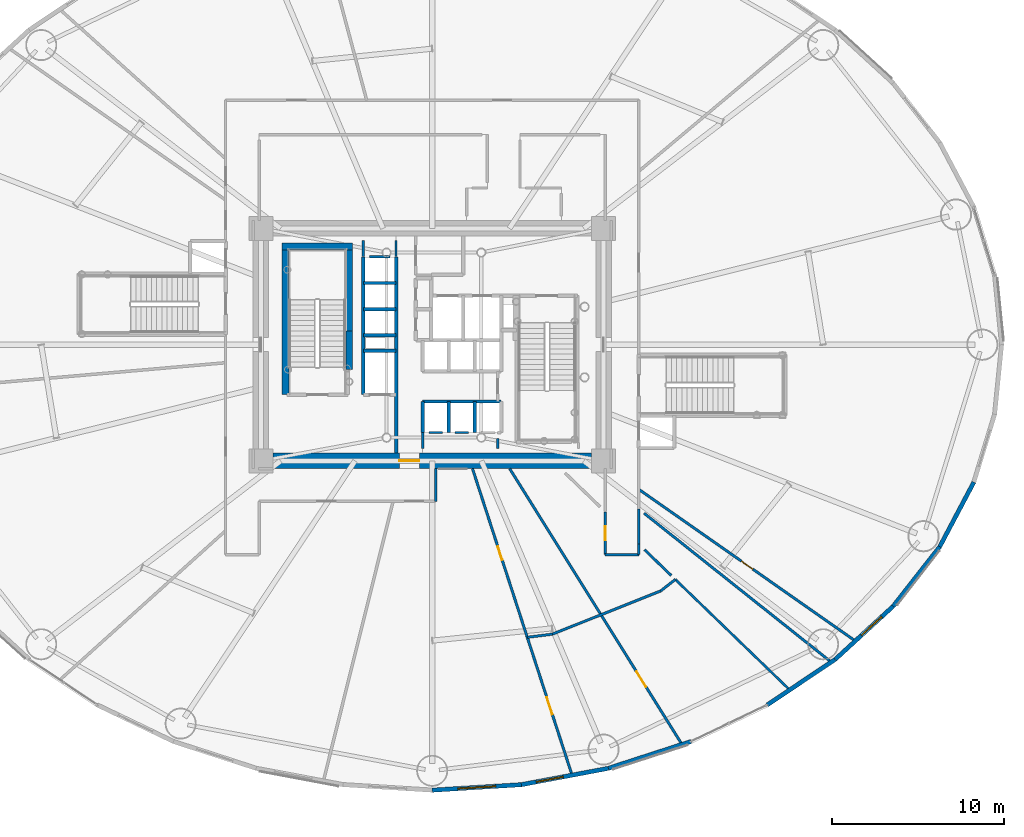
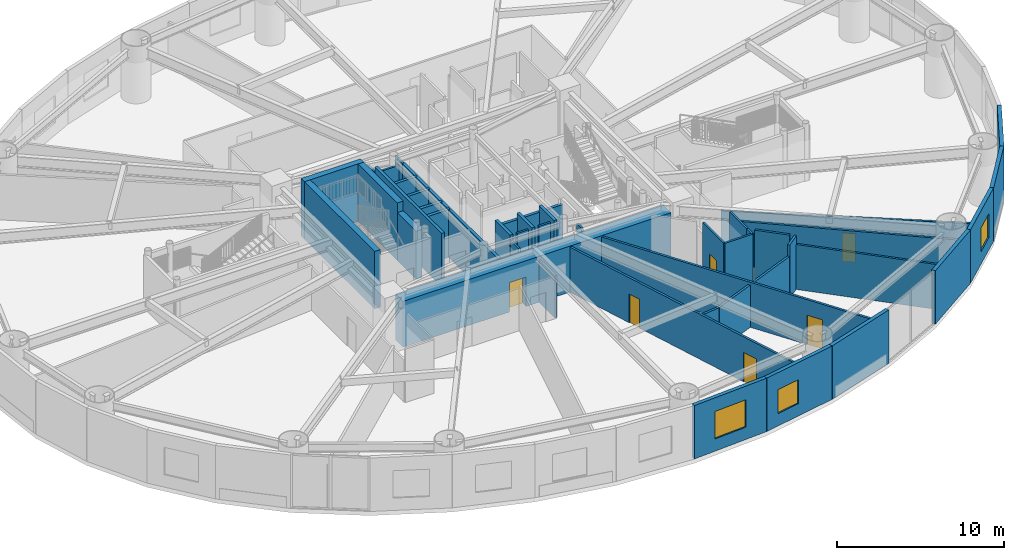
# One storey, part 17 of 31: 43 walls, 6 doors, 3 windows, 9 openings.
"""IFC4 building model written with IfcOpenShell, lengths in metres."""

from ifc_helpers import new_model, si_unit, direction, frame, frame_2d, origin, origin_2d, place, context, subcontext, project, spatial, rectangle, extrude, source, transform, mapped, material, layer, layer_set, type_object, element, fill, save


model = new_model("IFC4")

# Units and contexts
model_context = context("Model", 3, precision=1e-05, world=origin(), true_north=direction((0.0, 1.0)))
body_context = subcontext(model_context, "Body", "Model", "MODEL_VIEW")
ifc_project = project(units=[si_unit("LENGTHUNIT", "METRE"), si_unit("AREAUNIT", "SQUARE_METRE"), si_unit("VOLUMEUNIT", "CUBIC_METRE"), si_unit("PLANEANGLEUNIT", "RADIAN"), si_unit("MASSUNIT", "GRAM", prefix="KILO")], contexts=[model_context])

# Site, building, storey
site_placement = place(None, origin())
site = spatial("IfcSite", under=ifc_project, at=site_placement, CompositionType="ELEMENT")
building_placement = place(site_placement, origin())
building = spatial("IfcBuilding", under=site, at=building_placement, Name="Linh Dai School and Residence Tower", CompositionType="ELEMENT")
storey_placement = place(building_placement, frame((0.0, 0.0, 6.0)))
storey = spatial("IfcBuildingStorey", under=building, at=storey_placement, Name="L01", CompositionType="ELEMENT", Elevation=6.0)

# Wall, opening, window
ifc_material_1 = material(Name="Precast Concrete B45 (C35/45)", Category="concrete")
ifc_layer_1 = layer(ifc_material_1, 0.25)
ifc_layer_set_1 = layer_set([ifc_layer_1], Name="Precast Concrete B45 (C35/45)")
wall_type_1 = type_object("IfcWallType", Name="EW-TC-250", PredefinedType="SOLIDWALL", material=ifc_layer_set_1)
wall_1_placement = place(storey_placement, frame((41.17822265625, 1.444091796875, 0.0), z_axis=(0.0, 0.0, 1.0), x_axis=(-0.998106762298, -0.061505211614, 0.0)))
wall_1 = element("IfcWall", 1, at=wall_1_placement, inside=storey, type_object=wall_type_1, Name="L01 Terracotta Exterior Wall 31", PredefinedType="SOLIDWALL", context=body_context, shape_type="SweptSolid", body=[
    extrude(rectangle(XDim=5.18798828125, YDim=0.25, at=frame_2d((2.593994140625, 0.0))), origin(), (0.0, 0.0, 1.0), 3.89990234375),
])
opening_1_placement = place(wall_1_placement, frame((1.493896484375, 0.0, 0.89990234375)))
opening_1 = element("IfcOpeningElement", 2, at=opening_1_placement, cuts=wall_1, Name="Opening W4", PredefinedType="OPENING", context=body_context, shape_type="SweptSolid", body=[
    extrude(rectangle(XDim=2.199951171875, YDim=2.0, at=origin_2d()), frame((1.10009765625, 0.135009765625, 1.0), z_axis=(0.0, -1.0, 0.0), x_axis=(1.0, 0.0, 0.0)), (0.0, 0.0, 1.0), 0.27001953125),
])
ifc_material_2 = material(Name="Acoustic Laminated Low-E Glazing", Category="glass")
window_type_1 = type_object("IfcWindowType", Name="WN-SCH-2200x2000", PartitioningType="TRIPLE_PANEL_VERTICAL", PredefinedType="WINDOW", material=ifc_material_2)
shared_shape_1 = source(origin(), body_context, "Body", "SweptSolid", [
    extrude(rectangle(XDim=2.199951171875, YDim=2.0, at=origin_2d()), frame((1.10009765625, 0.030029296875, 1.0), z_axis=(0.0, -1.0, 0.0), x_axis=(1.0, 0.0, 0.0)), (0.0, 0.0, 1.0), 0.06005859375),
])
window_1_placement = place(opening_1_placement, origin())
window_1 = element("IfcWindow", 3, at=window_1_placement, inside=storey, type_object=window_type_1, Name="L01 Exterior Window 31.1", OverallHeight=2.0, OverallWidth=2.199951171875, PartitioningType="TRIPLE_PANEL_VERTICAL", PredefinedType="WINDOW", context=body_context, shape_type="MappedRepresentation", body=[
    mapped(shared_shape_1, transform((0.0, 0.0, 0.0), x_axis=(1.0, 0.0, 0.0), y_axis=(0.0, 1.0, 0.0), z_axis=(0.0, 0.0, 1.0), scale=1.0)),
])
fill(opening_1, window_1)

wall_2_placement = place(storey_placement, frame((46.228515625, 2.3935546875, 0.0), z_axis=(0.0, 0.0, 1.0), x_axis=(-0.98278278947, -0.184764684726, 0.0)))
wall_2 = element("IfcWall", 4, at=wall_2_placement, inside=storey, type_object=wall_type_1, Name="L01 Terracotta Exterior Wall 32", PredefinedType="SOLIDWALL", context=body_context, shape_type="SweptSolid", body=[
    extrude(rectangle(XDim=5.138671875, YDim=0.25, at=frame_2d((2.5693359375, 0.0))), origin(), (0.0, 0.0, 1.0), 3.89990234375),
])
opening_2_placement = place(wall_2_placement, frame((2.654296875, 0.0, 0.89990234375)))
opening_2 = element("IfcOpeningElement", 5, at=opening_2_placement, cuts=wall_2, Name="Opening W2", PredefinedType="OPENING", context=body_context, shape_type="SweptSolid", body=[
    extrude(rectangle(XDim=1.60009765625, YDim=1.75, at=origin_2d()), frame((0.800048828125, 0.135009765625, 0.875), z_axis=(0.0, -1.0, 0.0), x_axis=(1.0, 0.0, 0.0)), (0.0, 0.0, 1.0), 0.27001953125),
])
ifc_material_3 = material(Name="Double Low-E Insulated Glazing", Category="glass")
window_type_2 = type_object("IfcWindowType", Name="WN-RES-1600x1750", PartitioningType="DOUBLE_PANEL_VERTICAL", PredefinedType="WINDOW", material=ifc_material_3)
shared_shape_2 = source(origin(), body_context, "Body", "SweptSolid", [
    extrude(rectangle(XDim=1.60009765625, YDim=1.75, at=origin_2d()), frame((0.800048828125, 0.030029296875, 0.875), z_axis=(0.0, -1.0, 0.0), x_axis=(1.0, 0.0, 0.0)), (0.0, 0.0, 1.0), 0.06005859375),
])
window_2_placement = place(opening_2_placement, origin())
window_2 = element("IfcWindow", 6, at=window_2_placement, inside=storey, type_object=window_type_2, Name="L01 Exterior Window 32.1", OverallHeight=1.75, OverallWidth=1.60009765625, PartitioningType="DOUBLE_PANEL_VERTICAL", PredefinedType="WINDOW", context=body_context, shape_type="MappedRepresentation", body=[
    mapped(shared_shape_2, transform((0.0, 0.0, 0.0), x_axis=(1.0, 0.0, 0.0), y_axis=(0.0, 1.0, 0.0), z_axis=(0.0, 0.0, 1.0), scale=1.0)),
])
fill(opening_2, window_2)

# Walls
wall_3_placement = place(storey_placement, frame((51.026123046875, 3.949951171875, 0.0), z_axis=(0.0, 0.0, 1.0), x_axis=(-0.951198629726, -0.308579271513, 0.0)))
element("IfcWall", 7, at=wall_3_placement, inside=storey, type_object=wall_type_1, Name="L01 Terracotta Exterior Wall 33", PredefinedType="SOLIDWALL", context=body_context, shape_type="SweptSolid", body=[
    extrude(rectangle(XDim=5.043701171875, YDim=0.25, at=frame_2d((2.52197265625, 0.0))), origin(), (0.0, 0.0, 1.0), 3.89990234375),
])
wall_4_placement = place(storey_placement, frame((59.39892578125, 8.713623046875, 0.0), z_axis=(0.0, 0.0, 1.0), x_axis=(-0.831218664812, -0.555945618985, 0.0)))
element("IfcWall", 8, at=wall_4_placement, inside=storey, type_object=wall_type_1, Name="L01 Terracotta Exterior Wall 35", PredefinedType="SOLIDWALL", context=body_context, shape_type="SweptSolid", body=[
    extrude(rectangle(XDim=4.74755859375, YDim=0.25, at=frame_2d((2.373779296875, 0.0))), origin(), (0.0, 0.0, 1.0), 3.89990234375),
])

# Wall, opening, window
wall_5_placement = place(storey_placement, frame((62.767822265625, 11.802490234375, 0.0), z_axis=(0.0, 0.0, 1.0), x_axis=(-0.737076532105, -0.675809282136, 0.0)))
wall_5 = element("IfcWall", 9, at=wall_5_placement, inside=storey, type_object=wall_type_1, Name="L01 Terracotta Exterior Wall 36", PredefinedType="SOLIDWALL", context=body_context, shape_type="SweptSolid", body=[
    extrude(rectangle(XDim=4.570556640625, YDim=0.25, at=frame_2d((2.28515625, 0.0))), origin(), (0.0, 0.0, 1.0), 3.89990234375),
])
opening_3_placement = place(wall_5_placement, frame((0.89599609375, 0.0, 0.89990234375)))
opening_3 = element("IfcOpeningElement", 10, at=opening_3_placement, cuts=wall_5, Name="Opening W2", PredefinedType="OPENING", context=body_context, shape_type="SweptSolid", body=[
    extrude(rectangle(XDim=1.60009765625, YDim=1.75, at=origin_2d()), frame((0.800048828125, 0.135009765625, 0.875), z_axis=(0.0, -1.0, 0.0), x_axis=(1.0, 0.0, 0.0)), (0.0, 0.0, 1.0), 0.27001953125),
])
window_3_placement = place(opening_3_placement, origin())
window_3 = element("IfcWindow", 11, at=window_3_placement, inside=storey, type_object=window_type_2, Name="L01 Exterior Window 36.1", OverallHeight=1.75, OverallWidth=1.60009765625, PartitioningType="DOUBLE_PANEL_VERTICAL", PredefinedType="WINDOW", context=body_context, shape_type="MappedRepresentation", body=[
    mapped(shared_shape_2, transform((0.0, 0.0, 0.0), x_axis=(1.0, 0.0, 0.0), y_axis=(0.0, 1.0, 0.0), z_axis=(0.0, 0.0, 1.0), scale=1.0)),
])
fill(opening_3, window_3)

# Walls
wall_6_placement = place(storey_placement, frame((65.4765625, 15.264404296875, 0.0), z_axis=(0.0, 0.0, 1.0), x_axis=(-0.61622589112, -0.787569457961, 0.0)))
element("IfcWall", 12, at=wall_6_placement, inside=storey, type_object=wall_type_1, Name="L01 Terracotta Exterior Wall 37", PredefinedType="SOLIDWALL", context=body_context, shape_type="SweptSolid", body=[
    extrude(rectangle(XDim=4.395751953125, YDim=0.25, at=frame_2d((2.19775390625, 0.0))), origin(), (0.0, 0.0, 1.0), 3.89990234375),
])
wall_7_placement = place(storey_placement, frame((67.459716796875, 19.013427734375, 0.0), z_axis=(0.0, 0.0, 1.0), x_axis=(-0.467588829866, -0.883946087827, 0.0)))
element("IfcWall", 13, at=wall_7_placement, inside=storey, type_object=wall_type_1, Name="L01 Terracotta Exterior Wall 38", PredefinedType="SOLIDWALL", context=body_context, shape_type="SweptSolid", body=[
    extrude(rectangle(XDim=4.2412109375, YDim=0.25, at=frame_2d((2.12060546875, 0.0))), origin(), (0.0, 0.0, 1.0), 3.89990234375),
])
ifc_material_4 = material(Name="Autoclaved Aerated Concrete Blockwork", Category="masonry")
ifc_layer_2 = layer(ifc_material_4, 0.135009765625)
ifc_layer_set_2 = layer_set([ifc_layer_2], Name="Autoclaved Aerated Concrete Blockwork")
wall_type_2 = type_object("IfcWallType", Name="IW-CORR-135-EI90", PredefinedType="PARTITIONING", material=ifc_layer_set_2)
wall_8_placement = place(storey_placement, frame((36.199951171875, 17.89990234375, 0.0), z_axis=(0.0, 0.0, 1.0), x_axis=(0.0, 1.0, 0.0)))
element("IfcWall", 14, at=wall_8_placement, inside=storey, type_object=wall_type_2, Name="L01 Interior Partition Wall 041", PredefinedType="PARTITIONING", context=body_context, shape_type="SweptSolid", body=[
    extrude(rectangle(XDim=1.900146484375, YDim=0.135009765625, at=frame_2d((0.9501953125, 0.0))), origin(), (0.0, 0.0, 1.0), 3.0849609375),
])

# Wall, opening, door
wall_9_placement = place(storey_placement, frame((46.050048828125, 14.800048828125, 0.0), z_axis=(0.0, 0.0, 1.0), x_axis=(0.0, 1.0, 0.0)))
wall_9 = element("IfcWall", 15, at=wall_9_placement, inside=storey, type_object=wall_type_2, Name="L01 Interior Partition Wall 060", PredefinedType="PARTITIONING", context=body_context, shape_type="SweptSolid", body=[
    extrude(rectangle(XDim=2.494873046875, YDim=0.135009765625, at=frame_2d((1.24755859375, 0.0))), origin(), (0.0, 0.0, 1.0), 3.89990234375),
])
opening_4_placement = place(wall_9_placement, frame((0.83740234375, 0.0, 0.0)))
opening_4 = element("IfcOpeningElement", 16, at=opening_4_placement, cuts=wall_9, Name="Opening D06", PredefinedType="OPENING", context=body_context, shape_type="SweptSolid", body=[
    extrude(rectangle(XDim=0.820068359375, YDim=2.10009765625, at=origin_2d()), frame((0.41015625, 0.07763671875, 1.050048828125), z_axis=(0.0, -1.0, 0.0), x_axis=(1.0, 0.0, 0.0)), (0.0, 0.0, 1.0), 0.155029296875),
])
ifc_material_5 = material(Name="Moisture-Resistant Timber Bathroom Door", Category="wood")
door_type_1 = type_object("IfcDoorType", Name="DR-WET-820x2100", OperationType="NOTDEFINED", PredefinedType="DOOR", material=ifc_material_5)
shared_shape_3 = source(origin(), body_context, "Body", "SweptSolid", [
    extrude(rectangle(XDim=0.820068359375, YDim=2.10009765625, at=origin_2d()), frame((0.41015625, 0.02490234375, 1.050048828125), z_axis=(0.0, -1.0, 0.0), x_axis=(1.0, 0.0, 0.0)), (0.0, 0.0, 1.0), 0.050048828125),
])
door_1_placement = place(opening_4_placement, origin())
door_1 = element("IfcDoor", 17, at=door_1_placement, inside=storey, type_object=door_type_1, Name="L01 School Girls Washroom Door", OperationType="SINGLE_SWING_RIGHT", OverallHeight=2.10009765625, OverallWidth=0.820068359375, PredefinedType="DOOR", context=body_context, shape_type="MappedRepresentation", body=[
    mapped(shared_shape_3, transform((0.0, 0.0, 0.0), x_axis=(1.0, 0.0, 0.0), y_axis=(0.0, 1.0, 0.0), z_axis=(0.0, 0.0, 1.0), scale=1.0)),
])
fill(opening_4, door_1)

# Walls
wall_10_placement = place(storey_placement, frame((46.050048828125, 14.800048828125, 0.0), z_axis=(0.0, 0.0, 1.0), x_axis=(1.0, 0.0, 0.0)))
element("IfcWall", 18, at=wall_10_placement, inside=storey, type_object=wall_type_2, Name="L01 Interior Partition Wall 061", PredefinedType="PARTITIONING", context=body_context, shape_type="SweptSolid", body=[
    extrude(rectangle(XDim=1.949951171875, YDim=0.135009765625, at=frame_2d((0.97509765625, 0.0))), origin(), (0.0, 0.0, 1.0), 3.89990234375),
])
wall_11_placement = place(storey_placement, frame((48.0, 14.800048828125, 0.0), z_axis=(0.0, 0.0, 1.0), x_axis=(0.0, 1.0, 0.0)))
element("IfcWall", 19, at=wall_11_placement, inside=storey, type_object=wall_type_2, Name="L01 Interior Partition Wall 062", PredefinedType="PARTITIONING", context=body_context, shape_type="SweptSolid", body=[
    extrude(rectangle(XDim=0.611572265625, YDim=0.135009765625, at=frame_2d((0.3056640625, 0.0))), origin(), (0.0, 0.0, 1.0), 3.89990234375),
])
wall_12_placement = place(storey_placement, frame((36.60009765625, 21.89990234375, 0.0), z_axis=(0.0, 0.0, 1.0), x_axis=(-1.0, 0.0, 0.0)))
element("IfcWall", 20, at=wall_12_placement, inside=storey, type_object=wall_type_2, Name="L01 Interior Partition Wall 075", PredefinedType="PARTITIONING", context=body_context, shape_type="SweptSolid", body=[
    extrude(rectangle(XDim=0.7900390625, YDim=0.135009765625, at=frame_2d((0.39501953125, 0.0))), origin(), (0.0, 0.0, 1.0), 3.89990234375),
])
wall_13_placement = place(storey_placement, frame((38.1201171875, 21.89990234375, 0.0), z_axis=(0.0, 0.0, 1.0), x_axis=(-1.0, 0.0, 0.0)))
element("IfcWall", 21, at=wall_13_placement, inside=storey, type_object=wall_type_2, Name="L01 Interior Partition Wall 076", PredefinedType="PARTITIONING", context=body_context, shape_type="SweptSolid", body=[
    extrude(rectangle(XDim=0.800048828125, YDim=0.135009765625, at=frame_2d((0.39990234375, 0.0))), origin(), (0.0, 0.0, 1.0), 3.89990234375),
])
wall_14_placement = place(storey_placement, frame((32.360107421875, 32.10009765625, 0.0), z_axis=(0.0, 0.0, 1.0), x_axis=(1.0, 0.0, 0.0)))
element("IfcWall", 22, at=wall_14_placement, inside=storey, type_object=wall_type_2, Name="L01 Interior Partition Wall 078", PredefinedType="PARTITIONING", context=body_context, shape_type="SweptSolid", body=[
    extrude(rectangle(XDim=1.179931640625, YDim=0.135009765625, at=frame_2d((0.58984375, 0.0))), origin(), (0.0, 0.0, 1.0), 3.485107421875),
])
wall_15_placement = place(storey_placement, frame((39.800048828125, 20.9599609375, 0.0), z_axis=(0.0, 0.0, 1.0), x_axis=(0.0, 1.0, 0.0)))
element("IfcWall", 23, at=wall_15_placement, inside=storey, type_object=wall_type_2, Name="L01 Interior Partition Wall 079", PredefinedType="PARTITIONING", context=body_context, shape_type="SweptSolid", body=[
    extrude(rectangle(XDim=0.580078125, YDim=0.135009765625, at=frame_2d((0.2900390625, 0.0))), origin(), (0.0, 0.0, 1.0), 3.43505859375),
])
wall_16_placement = place(storey_placement, frame((32.0, 33.0400390625, 0.0), z_axis=(0.0, 0.0, 1.0), x_axis=(0.0, -1.0, 0.0)))
element("IfcWall", 24, at=wall_16_placement, inside=storey, type_object=wall_type_2, Name="L01 Interior Partition Wall 080", PredefinedType="PARTITIONING", context=body_context, shape_type="SweptSolid", body=[
    extrude(rectangle(XDim=0.929931640625, YDim=0.135009765625, at=frame_2d((0.46484375, 0.0))), origin(), (0.0, 0.0, 1.0), 3.43505859375),
])
for number, where, z_axis, x_axis, name in (
    (25, (35.449951171875, 21.889892578125, 0.0), (0.0, 0.0, 1.0), (0.0, -1.0, 0.0), "L01 Interior Partition Wall 082"),
    (26, (33.89990234375, 32.110107421875, 0.0), (0.0, 0.0, 1.0), (0.0, 1.0, 0.0), "L01 Interior Partition Wall 083"),
):
    element("IfcWall", number, at=place(storey_placement, frame(where, z_axis=z_axis, x_axis=x_axis)), inside=storey, type_object=wall_type_2, Name=name, PredefinedType="PARTITIONING", context=body_context, shape_type="SweptSolid", body=[
        extrude(rectangle(XDim=0.929931640625, YDim=0.135009765625, at=frame_2d((0.46484375, 0.0))), origin(), (0.0, 0.0, 1.0), 3.485107421875),
    ])
wall_17_placement = place(storey_placement, frame((48.0, 17.44482421875, 0.0), z_axis=(0.0, 0.0, 1.0), x_axis=(0.0, -1.0, 0.0)))
element("IfcWall", 27, at=wall_17_placement, inside=storey, type_object=wall_type_2, Name="L01 Interior Partition Wall 084", PredefinedType="PARTITIONING", context=body_context, shape_type="SweptSolid", body=[
    extrude(rectangle(XDim=2.023193359375, YDim=0.135009765625, at=frame_2d((1.01171875, 0.0))), origin(), (0.0, 0.0, 1.0), 3.89990234375),
])
wall_18_placement = place(storey_placement, frame((50.12109375, 13.36328125, 0.0), z_axis=(0.0, 0.0, 1.0), x_axis=(0.719341799646, -0.69465630011, 0.0)))
element("IfcWall", 28, at=wall_18_placement, inside=storey, type_object=wall_type_2, Name="L01 Interior Partition Wall 103", PredefinedType="PARTITIONING", context=body_context, shape_type="SweptSolid", body=[
    extrude(rectangle(XDim=9.2373046875, YDim=0.135009765625, at=frame_2d((4.61865234375, 0.0))), origin(), (0.0, 0.0, 1.0), 3.284912109375),
])

# Wall, openings, doors
ifc_layer_3 = layer(ifc_material_4, 0.14990234375)
ifc_layer_set_3 = layer_set([ifc_layer_3], Name="Autoclaved Aerated Concrete Blockwork")
wall_type_3 = type_object("IfcWallType", Name="IW-SCH-150-EI60", PredefinedType="PARTITIONING", material=ifc_layer_set_3)
wall_19_placement = place(storey_placement, frame((38.33935546875, 19.800048828125, 0.0), z_axis=(0.0, 0.0, 1.0), x_axis=(0.309020911431, -0.951055243557, 0.0)))
wall_19 = element("IfcWall", 29, at=wall_19_placement, inside=storey, type_object=wall_type_3, Name="L01 Interior Partition Wall 046", PredefinedType="PARTITIONING", context=body_context, shape_type="SweptSolid", body=[
    extrude(rectangle(XDim=18.723388671875, YDim=0.14990234375, at=frame_2d((9.36181640625, 0.0))), origin(), (0.0, 0.0, 1.0), 3.284912109375),
])
opening_5_placement = place(wall_19_placement, frame((4.759521484375, 0.0, 0.0)))
opening_5 = element("IfcOpeningElement", 30, at=opening_5_placement, cuts=wall_19, Name="Opening D06", PredefinedType="OPENING", context=body_context, shape_type="SweptSolid", body=[
    extrude(rectangle(XDim=0.820068359375, YDim=2.10009765625, at=origin_2d()), frame((0.41015625, 0.0849609375, 1.050048828125), z_axis=(0.0, -1.0, 0.0), x_axis=(1.0, 0.0, 0.0)), (0.0, 0.0, 1.0), 0.169921875),
])
opening_6_placement = place(wall_19_placement, frame((13.96630859375, 0.0, 0.0)))
opening_6 = element("IfcOpeningElement", 31, at=opening_6_placement, cuts=wall_19, Name="Opening D04", PredefinedType="OPENING", context=body_context, shape_type="SweptSolid", body=[
    extrude(rectangle(XDim=1.050048828125, YDim=2.14990234375, at=origin_2d()), frame((0.52490234375, 0.0849609375, 1.074951171875), z_axis=(0.0, -1.0, 0.0), x_axis=(1.0, 0.0, 0.0)), (0.0, 0.0, 1.0), 0.169921875),
])
ifc_material_6 = material(Name="Acoustic Vision-Panel Timber Classroom Door", Category="wood")
door_type_2 = type_object("IfcDoorType", Name="DR-SCH-1050x2150-FD60S", OperationType="NOTDEFINED", PredefinedType="DOOR", material=ifc_material_6)
shared_shape_4 = source(origin(), body_context, "Body", "SweptSolid", [
    extrude(rectangle(XDim=1.050048828125, YDim=2.14990234375, at=origin_2d()), frame((0.52490234375, 0.02490234375, 1.074951171875), z_axis=(0.0, -1.0, 0.0), x_axis=(1.0, 0.0, 0.0)), (0.0, 0.0, 1.0), 0.050048828125),
])
door_2_placement = place(opening_6_placement, origin())
door_2 = element("IfcDoor", 32, at=door_2_placement, inside=storey, type_object=door_type_2, Name="L01 Resource Study Room BWC Door", OperationType="SINGLE_SWING_LEFT", OverallHeight=2.14990234375, OverallWidth=1.050048828125, PredefinedType="DOOR", context=body_context, shape_type="MappedRepresentation", body=[
    mapped(shared_shape_4, transform((0.0, 0.0, 0.0), x_axis=(1.0, 0.0, 0.0), y_axis=(0.0, 1.0, 0.0), z_axis=(0.0, 0.0, 1.0), scale=1.0)),
])
fill(opening_6, door_2)
door_3_placement = place(opening_5_placement, origin())
door_3 = element("IfcDoor", 33, at=door_3_placement, inside=storey, type_object=door_type_1, Name="L01 School Boys Washroom Door", OperationType="SINGLE_SWING_RIGHT", OverallHeight=2.10009765625, OverallWidth=0.820068359375, PredefinedType="DOOR", context=body_context, shape_type="MappedRepresentation", body=[
    mapped(shared_shape_3, transform((0.0, 0.0, 0.0), x_axis=(1.0, 0.0, 0.0), y_axis=(0.0, 1.0, 0.0), z_axis=(0.0, 0.0, 1.0), scale=1.0)),
])
fill(opening_5, door_3)

# Wall, opening, door
wall_20_placement = place(storey_placement, frame((40.4990234375, 19.800048828125, 0.0), z_axis=(0.0, 0.0, 1.0), x_axis=(0.529919953547, -0.848047665425, 0.0)))
wall_20 = element("IfcWall", 34, at=wall_20_placement, inside=storey, type_object=wall_type_3, Name="L01 Interior Partition Wall 054", PredefinedType="PARTITIONING", context=body_context, shape_type="SweptSolid", body=[
    extrude(rectangle(XDim=18.893310546875, YDim=0.14990234375, at=frame_2d((9.44677734375, 0.0))), origin(), (0.0, 0.0, 1.0), 3.284912109375),
])
opening_7_placement = place(wall_20_placement, frame((13.905517578125, 0.0, 0.0)))
opening_7 = element("IfcOpeningElement", 35, at=opening_7_placement, cuts=wall_20, Name="Opening D04", PredefinedType="OPENING", context=body_context, shape_type="SweptSolid", body=[
    extrude(rectangle(XDim=1.050048828125, YDim=2.14990234375, at=origin_2d()), frame((0.52490234375, 0.0849609375, 1.074951171875), z_axis=(0.0, -1.0, 0.0), x_axis=(1.0, 0.0, 0.0)), (0.0, 0.0, 1.0), 0.169921875),
])
door_4_placement = place(opening_7_placement, origin())
door_4 = element("IfcDoor", 36, at=door_4_placement, inside=storey, type_object=door_type_2, Name="L01 Resource Study Room GWC Door", OperationType="SINGLE_SWING_LEFT", OverallHeight=2.14990234375, OverallWidth=1.050048828125, PredefinedType="DOOR", context=body_context, shape_type="MappedRepresentation", body=[
    mapped(shared_shape_4, transform((0.0, 0.0, 0.0), x_axis=(1.0, 0.0, 0.0), y_axis=(0.0, 1.0, 0.0), z_axis=(0.0, 0.0, 1.0), scale=1.0)),
])
fill(opening_7, door_4)

# Walls
wall_21_placement = place(storey_placement, frame((41.52197265625, 10.0048828125, 0.0), z_axis=(0.0, 0.0, 1.0), x_axis=(0.992392781159, 0.123112013644, 0.0)))
element("IfcWall", 37, at=wall_21_placement, inside=storey, type_object=wall_type_3, Name="L01 Interior Partition Wall 057", PredefinedType="PARTITIONING", context=body_context, shape_type="SweptSolid", body=[
    extrude(rectangle(XDim=1.465576171875, YDim=0.14990234375, at=frame_2d((0.73291015625, 0.0))), origin(), (0.0, 0.0, 1.0), 3.0849609375),
])
wall_22_placement = place(storey_placement, frame((42.976318359375, 10.185302734375, 0.0), z_axis=(0.0, 0.0, 1.0), x_axis=(0.928789451967, 0.370607816857, 0.0)))
element("IfcWall", 38, at=wall_22_placement, inside=storey, type_object=wall_type_3, Name="L01 Interior Partition Wall 058", PredefinedType="PARTITIONING", context=body_context, shape_type="SweptSolid", body=[
    extrude(rectangle(XDim=6.77587890625, YDim=0.14990234375, at=frame_2d((3.387939453125, 0.0))), origin(), (0.0, 0.0, 1.0), 3.0849609375),
])

# Wall, opening, door
wall_23_placement = place(storey_placement, frame((48.0, 18.597412109375, 0.0), z_axis=(0.0, 0.0, 1.0), x_axis=(0.819153488973, -0.573574373123, 0.0)))
wall_23 = element("IfcWall", 39, at=wall_23_placement, inside=storey, type_object=wall_type_3, Name="L01 Interior Partition Wall 064", PredefinedType="PARTITIONING", context=body_context, shape_type="SweptSolid", body=[
    extrude(rectangle(XDim=15.3564453125, YDim=0.14990234375, at=frame_2d((7.67822265625, 0.0))), origin(), (0.0, 0.0, 1.0), 3.284912109375),
])
opening_8_placement = place(wall_23_placement, frame((7.268310546875, 0.0, 0.0)))
opening_8 = element("IfcOpeningElement", 40, at=opening_8_placement, cuts=wall_23, Name="Opening D06", PredefinedType="OPENING", context=body_context, shape_type="SweptSolid", body=[
    extrude(rectangle(XDim=0.820068359375, YDim=2.10009765625, at=origin_2d()), frame((0.41015625, 0.0849609375, 1.050048828125), z_axis=(0.0, -1.0, 0.0), x_axis=(1.0, 0.0, 0.0)), (0.0, 0.0, 1.0), 0.169921875),
])
door_5_placement = place(opening_8_placement, origin())
door_5 = element("IfcDoor", 41, at=door_5_placement, inside=storey, type_object=door_type_1, Name="L01 School Accessible Washroom Door", OperationType="SINGLE_SWING_RIGHT", OverallHeight=2.10009765625, OverallWidth=0.820068359375, PredefinedType="DOOR", context=body_context, shape_type="MappedRepresentation", body=[
    mapped(shared_shape_3, transform((0.0, 0.0, 0.0), x_axis=(1.0, 0.0, 0.0), y_axis=(0.0, 1.0, 0.0), z_axis=(0.0, 0.0, 1.0), scale=1.0)),
])
fill(opening_8, door_5)

# Walls
wall_24_placement = place(storey_placement, frame((49.269775390625, 12.696533203125, 0.0), z_axis=(0.0, 0.0, 1.0), x_axis=(0.787281025789, 0.616594345119, 0.0)))
element("IfcWall", 42, at=wall_24_placement, inside=storey, type_object=wall_type_3, Name="L01 Interior Partition Wall 071", PredefinedType="PARTITIONING", context=body_context, shape_type="SweptSolid", body=[
    extrude(rectangle(XDim=1.081298828125, YDim=0.14990234375, at=frame_2d((0.54052734375, 0.0))), origin(), (0.0, 0.0, 1.0), 3.89990234375),
])
wall_25_placement = place(storey_placement, frame((48.327392578125, 15.095458984375, 0.0), z_axis=(0.0, 0.0, 1.0), x_axis=(0.719401460617, -0.6945945137, 0.0)))
element("IfcWall", 43, at=wall_25_placement, inside=storey, type_object=wall_type_3, Name="L01 Interior Partition Wall 102", PredefinedType="PARTITIONING", context=body_context, shape_type="SweptSolid", body=[
    extrude(rectangle(XDim=2.1552734375, YDim=0.14990234375, at=frame_2d((1.07763671875, 0.0))), origin(), (0.0, 0.0, 1.0), 3.89990234375),
])
wall_26_placement = place(storey_placement, frame((59.180419921875, 8.5615234375, 0.0), z_axis=(0.0, 0.0, 1.0), x_axis=(-0.782605918506, 0.622517450614, 0.0)))
element("IfcWall", 44, at=wall_26_placement, inside=storey, type_object=wall_type_3, Name="L01 Interior Partition Wall 104", PredefinedType="PARTITIONING", context=body_context, shape_type="SweptSolid", body=[
    extrude(rectangle(XDim=13.89306640625, YDim=0.14990234375, at=frame_2d((6.946533203125, 0.0))), origin(), (0.0, 0.0, 1.0), 3.284912109375),
])
ifc_material_7 = material(Name="Concrete B45 (C35/45)", Category="concrete")
ifc_layer_4 = layer(ifc_material_7, 0.199951171875)
ifc_layer_set_4 = layer_set([ifc_layer_4], Name="Concrete B45 (C35/45)")
wall_type_4 = type_object("IfcWallType", Name="IW-SHAFT-200-EI120", PredefinedType="PARTITIONING", material=ifc_layer_set_4)
wall_27_placement = place(storey_placement, frame((32.0, 24.10009765625, 0.0), z_axis=(0.0, 0.0, 1.0), x_axis=(0.0, 1.0, 0.0)))
element("IfcWall", 45, at=wall_27_placement, inside=storey, type_object=wall_type_4, Name="L01 Interior Partition Wall 021", PredefinedType="PARTITIONING", context=body_context, shape_type="SweptSolid", body=[
    extrude(rectangle(XDim=8.0, YDim=0.199951171875, at=frame_2d((4.0, 0.0))), origin(), (0.0, 0.0, 1.0), 3.89990234375),
])
for number, where, z_axis, x_axis, name in (
    (46, (32.0, 26.64990234375, 0.0), (0.0, 0.0, 1.0), (1.0, 0.0, 0.0), "L01 Interior Partition Wall 023"),
    (47, (32.0, 27.550048828125, 0.0), (0.0, 0.0, 1.0), (1.0, 0.0, 0.0), "L01 Interior Partition Wall 024"),
    (48, (32.0, 29.06005859375, 0.0), (0.0, 0.0, 1.0), (1.0, 0.0, 0.0), "L01 Interior Partition Wall 025"),
    (49, (32.0, 30.580078125, 0.0), (0.0, 0.0, 1.0), (1.0, 0.0, 0.0), "L01 Interior Partition Wall 026"),
):
    element("IfcWall", number, at=place(storey_placement, frame(where, z_axis=z_axis, x_axis=x_axis)), inside=storey, type_object=wall_type_4, Name=name, PredefinedType="PARTITIONING", context=body_context, shape_type="SweptSolid", body=[
        extrude(rectangle(XDim=1.89990234375, YDim=0.199951171875, at=frame_2d((0.949951171875, 0.0))), origin(), (0.0, 0.0, 1.0), 3.485107421875),
    ])
wall_28_placement = place(storey_placement, frame((33.89990234375, 20.699951171875, 0.0), z_axis=(0.0, 0.0, 1.0), x_axis=(0.0, 1.0, 0.0)))
element("IfcWall", 50, at=wall_28_placement, inside=storey, type_object=wall_type_4, Name="L01 Interior Partition Wall 027", PredefinedType="PARTITIONING", context=body_context, shape_type="SweptSolid", body=[
    extrude(rectangle(XDim=11.400146484375, YDim=0.199951171875, at=frame_2d((5.7001953125, 0.0))), origin(), (0.0, 0.0, 1.0), 3.485107421875),
])
wall_29_placement = place(storey_placement, frame((35.449951171875, 21.89990234375, 0.0), z_axis=(0.0, 0.0, 1.0), x_axis=(0.0, 1.0, 0.0)))
element("IfcWall", 51, at=wall_29_placement, inside=storey, type_object=wall_type_4, Name="L01 Interior Partition Wall 034", PredefinedType="PARTITIONING", context=body_context, shape_type="SweptSolid", body=[
    extrude(rectangle(XDim=1.800048828125, YDim=0.199951171875, at=frame_2d((0.89990234375, 0.0))), origin(), (0.0, 0.0, 1.0), 3.89990234375),
])
wall_30_placement = place(storey_placement, frame((35.449951171875, 23.699951171875, 0.0), z_axis=(0.0, 0.0, 1.0), x_axis=(1.0, 0.0, 0.0)))
element("IfcWall", 52, at=wall_30_placement, inside=storey, type_object=wall_type_4, Name="L01 Interior Partition Wall 035", PredefinedType="PARTITIONING", context=body_context, shape_type="SweptSolid", body=[
    extrude(rectangle(XDim=4.550048828125, YDim=0.199951171875, at=frame_2d((2.27490234375, 0.0))), origin(), (0.0, 0.0, 1.0), 3.485107421875),
])
for number, where, z_axis, x_axis, name in (
    (53, (36.9599609375, 21.89990234375, 0.0), (0.0, 0.0, 1.0), (0.0, 1.0, 0.0), "L01 Interior Partition Wall 042"),
    (54, (38.47998046875, 21.89990234375, 0.0), (0.0, 0.0, 1.0), (0.0, 1.0, 0.0), "L01 Interior Partition Wall 047"),
):
    element("IfcWall", number, at=place(storey_placement, frame(where, z_axis=z_axis, x_axis=x_axis)), inside=storey, type_object=wall_type_4, Name=name, PredefinedType="PARTITIONING", context=body_context, shape_type="SweptSolid", body=[
        extrude(rectangle(XDim=1.800048828125, YDim=0.199951171875, at=frame_2d((0.89990234375, 0.0))), origin(), (0.0, 0.0, 1.0), 3.89990234375),
    ])
ifc_layer_5 = layer(ifc_material_7, 0.39990234375)
ifc_layer_set_5 = layer_set([ifc_layer_5], Name="Concrete B45 (C35/45)")
wall_type_5 = type_object("IfcWallType", Name="WL-CORE400", PredefinedType="SHEAR", material=ifc_layer_set_5)
wall_31_placement = place(storey_placement, frame((27.47998046875, 24.10009765625, 0.0), z_axis=(0.0, 0.0, 1.0), x_axis=(0.0, 1.0, 0.0)))
element("IfcWall", 55, at=wall_31_placement, inside=storey, type_object=wall_type_5, Name="L01 Core Stair ST1 Bearing Wall W", PredefinedType="SHEAR", context=body_context, shape_type="SweptSolid", body=[
    extrude(rectangle(XDim=8.599853515625, YDim=0.39990234375, at=frame_2d((4.2998046875, 0.0))), origin(), (0.0, 0.0, 1.0), 4.199951171875),
])
wall_32_placement = place(storey_placement, frame((31.179931640625, 27.800048828125, 0.0), z_axis=(0.0, 0.0, 1.0), x_axis=(0.0, 1.0, 0.0)))
element("IfcWall", 56, at=wall_32_placement, inside=storey, type_object=wall_type_5, Name="L01 Core Stair ST1 Bearing Wall E", PredefinedType="SHEAR", context=body_context, shape_type="SweptSolid", body=[
    extrude(rectangle(XDim=4.89990234375, YDim=0.39990234375, at=frame_2d((2.449951171875, 0.0))), origin(), (0.0, 0.0, 1.0), 4.199951171875),
])
wall_33_placement = place(storey_placement, frame((27.280029296875, 32.699951171875, 0.0), z_axis=(0.0, 0.0, 1.0), x_axis=(1.0, 0.0, 0.0)))
element("IfcWall", 57, at=wall_33_placement, inside=storey, type_object=wall_type_5, Name="L01 Core Stair ST1 Bearing Wall N", PredefinedType="SHEAR", context=body_context, shape_type="SweptSolid", body=[
    extrude(rectangle(XDim=4.099853515625, YDim=0.39990234375, at=frame_2d((2.0498046875, 0.0))), origin(), (0.0, 0.0, 1.0), 4.199951171875),
])
wall_34_placement = place(storey_placement, frame((31.179931640625, 25.550048828125, 0.0), z_axis=(0.0, 0.0, 1.0), x_axis=(0.0, 1.0, 0.0)))
element("IfcWall", 58, at=wall_34_placement, inside=storey, type_object=wall_type_5, Name="L01 Internal Core Shear Wall IW", PredefinedType="SHEAR", context=body_context, shape_type="SweptSolid", body=[
    extrude(rectangle(XDim=2.25, YDim=0.39990234375, at=frame_2d((1.125, 0.0))), origin(), (0.0, 0.0, 1.0), 3.5),
])

# Wall, opening, door
ifc_material_8 = material(Name="Concrete B60 (C50/60)", Category="concrete")
ifc_layer_6 = layer(ifc_material_8, 0.89990234375)
ifc_layer_set_6 = layer_set([ifc_layer_6], Name="Concrete B60 (C50/60)")
wall_type_6 = type_object("IfcWallType", Name="WL-CORE900", PredefinedType="SHEAR", material=ifc_layer_set_6)
wall_35_placement = place(storey_placement, frame((45.25, 20.25, 0.0), z_axis=(0.0, 0.0, 1.0), x_axis=(-1.0, 0.0, 0.0)))
wall_35 = element("IfcWall", 59, at=wall_35_placement, inside=storey, type_object=wall_type_6, Name="L01 Central Core Shear Wall S", PredefinedType="SHEAR", context=body_context, shape_type="SweptSolid", body=[
    extrude(rectangle(XDim=18.5, YDim=0.89990234375, at=frame_2d((9.25, 0.0))), origin(), (0.0, 0.0, 1.0), 3.35009765625),
])
opening_9_placement = place(wall_35_placement, frame((10.0, 0.0, 0.0)))
opening_9 = element("IfcOpeningElement", 60, at=opening_9_placement, cuts=wall_35, Name="Opening D02", PredefinedType="OPENING", context=body_context, shape_type="SweptSolid", body=[
    extrude(rectangle(XDim=1.14990234375, YDim=2.14990234375, at=origin_2d()), frame((0.574951171875, 0.4599609375, 1.074951171875), z_axis=(0.0, -1.0, 0.0), x_axis=(1.0, 0.0, 0.0)), (0.0, 0.0, 1.0), 0.919921875),
])
ifc_material_9 = material(Name="Fire-Rated Glazed Steel Lobby Door", Category="steel")
door_type_3 = type_object("IfcDoorType", Name="DR-LOBBY-1150x2150-FD90S", OperationType="NOTDEFINED", PredefinedType="DOOR", material=ifc_material_9)
shared_shape_5 = source(origin(), body_context, "Body", "SweptSolid", [
    extrude(rectangle(XDim=1.14990234375, YDim=2.14990234375, at=origin_2d()), frame((0.574951171875, 0.02490234375, 1.074951171875), z_axis=(0.0, -1.0, 0.0), x_axis=(1.0, 0.0, 0.0)), (0.0, 0.0, 1.0), 0.050048828125),
])
door_6_placement = place(opening_9_placement, origin())
door_6 = element("IfcDoor", 61, at=door_6_placement, inside=storey, type_object=door_type_3, Name="L01 Passenger Foyer Access Door", OperationType="SINGLE_SWING_LEFT", OverallHeight=2.14990234375, OverallWidth=1.14990234375, PredefinedType="DOOR", context=body_context, shape_type="MappedRepresentation", body=[
    mapped(shared_shape_5, transform((0.0, 0.0, 0.0), x_axis=(1.0, 0.0, 0.0), y_axis=(0.0, 1.0, 0.0), z_axis=(0.0, 0.0, 1.0), scale=1.0)),
])
fill(opening_9, door_6)

save(model, "model.ifc")
